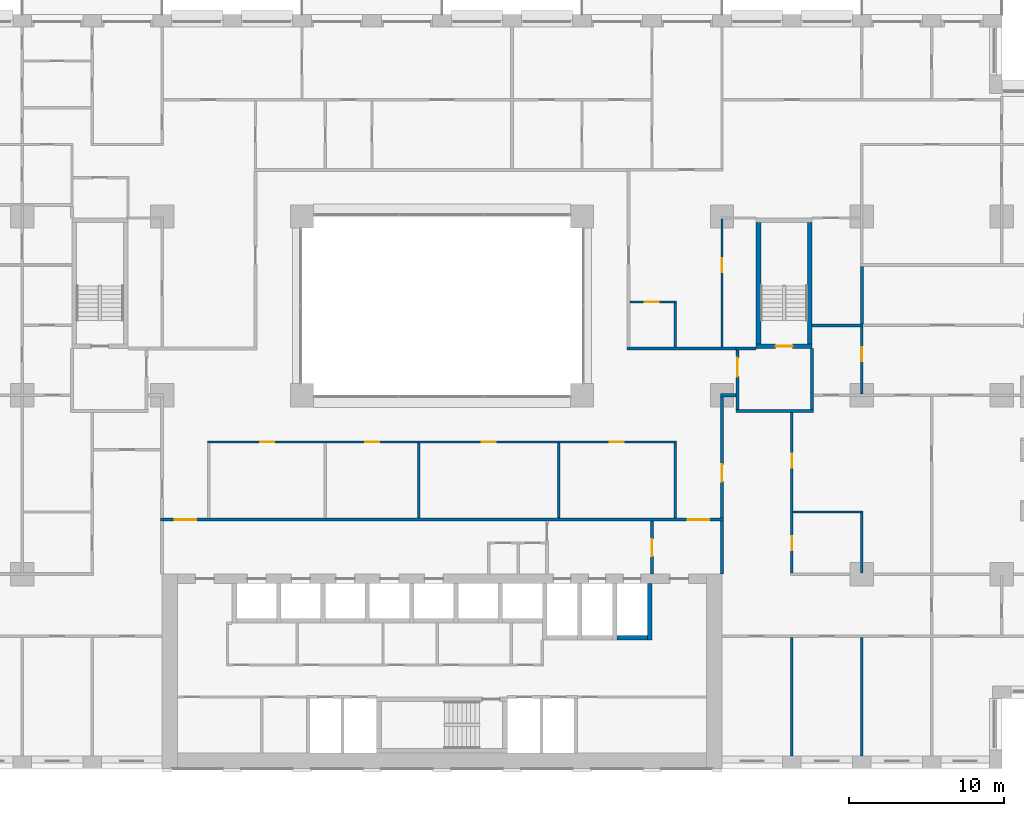
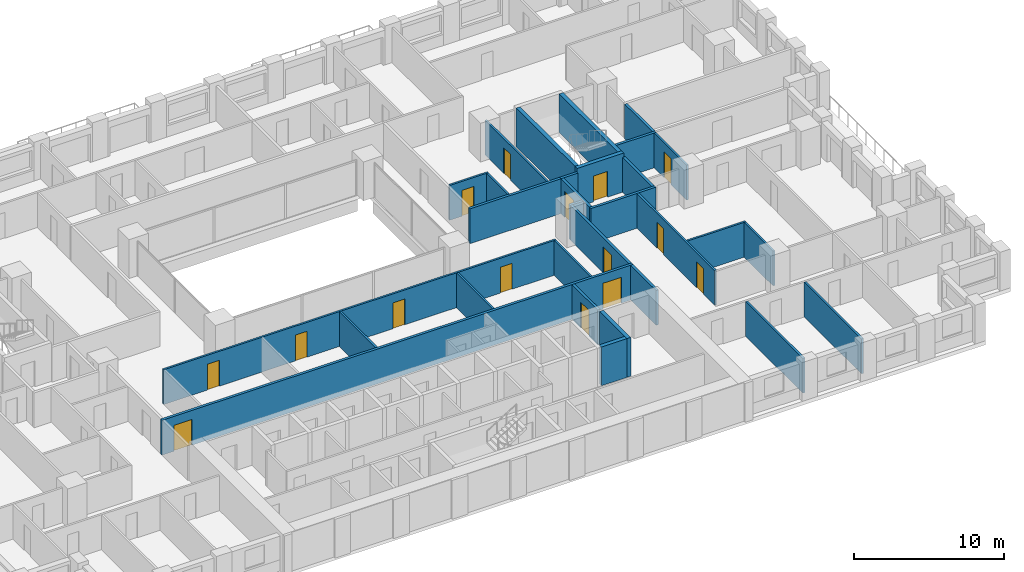
# One storey, part 12 of 19: 30 walls, 15 doors, 15 openings.
"""IFC4 building model written with IfcOpenShell, lengths in metres."""

from ifc_helpers import new_model, si_unit, direction, frame, frame_2d, origin, place, context, subcontext, project, spatial, rectangle, extrude, material, layer, layer_set, type_object, element, fill, save


model = new_model("IFC4")

# Units and contexts
model_context = context("Model", 3, precision=1e-05, world=origin(), true_north=direction((0.0, 1.0)))
body_context = subcontext(model_context, "Body", "Model", "MODEL_VIEW")
ifc_project = project(units=[si_unit("LENGTHUNIT", "METRE"), si_unit("AREAUNIT", "SQUARE_METRE"), si_unit("VOLUMEUNIT", "CUBIC_METRE"), si_unit("PLANEANGLEUNIT", "RADIAN"), si_unit("MASSUNIT", "GRAM", prefix="KILO")], contexts=[model_context])

# Site, building, storey
site_placement = place(None, origin())
site = spatial("IfcSite", under=ifc_project, at=site_placement, CompositionType="ELEMENT")
building_placement = place(site_placement, origin())
building = spatial("IfcBuilding", under=site, at=building_placement, Name="Brigalow Station Residences", CompositionType="ELEMENT")
storey_placement = place(building_placement, frame((0.0, 0.0, 35.25)))
storey = spatial("IfcBuildingStorey", under=building, at=storey_placement, Name="L09", CompositionType="ELEMENT", Elevation=35.25)

# Walls
ifc_material_1 = material(Name="Concrete C80", Category="concrete")
ifc_layer_1 = layer(ifc_material_1, 0.300048828125)
ifc_layer_set_1 = layer_set([ifc_layer_1], Name="CORE SHEAR WALL 300 C80")
wall_type_1 = type_object("IfcWallType", Name="CORE SHEAR WALL 300 C80", PredefinedType="SHEAR", material=ifc_layer_set_1)
wall_1_placement = place(storey_placement, frame((47.25, 8.39990234375, 0.0), z_axis=(0.0, 0.0, 1.0), x_axis=(1.0, 0.0, 0.0)))
element("IfcWall", 1, at=wall_1_placement, inside=storey, type_object=wall_type_1, Name="CORE WALL SH-SL1-S L09", PredefinedType="SHEAR", context=body_context, shape_type="SweptSolid", body=[
    extrude(rectangle(XDim=1.949951171875, YDim=0.300048828125, at=frame_2d((0.97509765625, 0.0))), origin(), (0.0, 0.0, 1.0), 3.14990234375),
])
wall_2_placement = place(storey_placement, frame((49.35009765625, 8.25, 0.0), z_axis=(0.0, 0.0, 1.0), x_axis=(0.0, 1.0, 0.0)))
element("IfcWall", 2, at=wall_2_placement, inside=storey, type_object=wall_type_1, Name="CORE WALL SH-SL1-E L09", PredefinedType="SHEAR", context=body_context, shape_type="SweptSolid", body=[
    extrude(rectangle(XDim=3.64990234375, YDim=0.300048828125, at=frame_2d((1.824951171875, 0.0))), origin(), (0.0, 0.0, 1.0), 3.14990234375),
])

# Wall, opening, door
wall_3_placement = place(storey_placement, frame((56.199951171875, 27.14990234375, 0.0), z_axis=(0.0, 0.0, 1.0), x_axis=(1.0, 0.0, 0.0)))
wall_3 = element("IfcWall", 3, at=wall_3_placement, inside=storey, type_object=wall_type_1, Name="CORE WALL ST-S3-S L09", PredefinedType="SHEAR", context=body_context, shape_type="SweptSolid", body=[
    extrude(rectangle(XDim=3.60009765625, YDim=0.300048828125, at=frame_2d((1.800048828125, 0.0))), origin(), (0.0, 0.0, 1.0), 3.14990234375),
])
opening_1_placement = place(wall_3_placement, frame((1.25, 0.0, 0.0)))
opening_1 = element("IfcOpeningElement", 4, at=opening_1_placement, cuts=wall_3, Name="Opening D-5018", PredefinedType="OPENING", context=body_context, shape_type="SweptSolid", body=[
    extrude(rectangle(XDim=1.10009765625, YDim=2.10009765625, at=frame_2d((0.550048828125, 1.050048828125))), frame((0.0, 0.16015625, 0.0), z_axis=(0.0, -1.0, 0.0), x_axis=(1.0, 0.0, 0.0)), (0.0, 0.0, 1.0), 0.320068359375),
])
ifc_material_2 = material(Name="Steel fire door leaf in steel frame", Category="steel")
door_type_1 = type_object("IfcDoorType", Name="STAIR DOOR 1100 x 2100 FD60S", OperationType="SINGLE_SWING_LEFT", PredefinedType="DOOR", material=ifc_material_2)
door_1_placement = place(opening_1_placement, origin())
door_1 = element("IfcDoor", 5, at=door_1_placement, inside=storey, type_object=door_type_1, Name="D-5018", OperationType="SINGLE_SWING_LEFT", OverallHeight=2.10009765625, OverallWidth=1.10009765625, PredefinedType="DOOR", context=body_context, shape_type="SweptSolid", body=[
    extrude(rectangle(XDim=1.10009765625, YDim=2.10009765625, at=frame_2d((0.550048828125, 1.050048828125))), frame((0.0, 0.02490234375, 0.0), z_axis=(0.0, -1.0, 0.0), x_axis=(1.0, 0.0, 0.0)), (0.0, 0.0, 1.0), 0.050048828125),
])
fill(opening_1, door_1)

# Walls
for number, where, z_axis, x_axis, name in (
    (6, (56.35009765625, 27.300048828125, 0.0), (0.0, 0.0, 1.0), (0.0, 1.0, 0.0), "CORE WALL ST-S3-W L09"),
    (7, (59.64990234375, 27.300048828125, 0.0), (0.0, 0.0, 1.0), (0.0, 1.0, 0.0), "CORE WALL ST-S3-E L09"),
):
    element("IfcWall", number, at=place(storey_placement, frame(where, z_axis=z_axis, x_axis=x_axis)), inside=storey, type_object=wall_type_1, Name=name, PredefinedType="SHEAR", context=body_context, shape_type="SweptSolid", body=[
        extrude(rectangle(XDim=7.800048828125, YDim=0.300048828125, at=frame_2d((3.89990234375, 0.0))), origin(), (0.0, 0.0, 1.0), 3.14990234375),
    ])
ifc_material_3 = material(Name="Concrete blockwork", Category="masonry")
ifc_layer_2 = layer(ifc_material_3, 0.199951171875)
ifc_layer_set_2 = layer_set([ifc_layer_2], Name="FIRE RATED CORE PARTITION 200")
wall_type_2 = type_object("IfcWallType", Name="FIRE RATED CORE PARTITION 200", PredefinedType="PARTITIONING", material=ifc_layer_set_2)
wall_4_placement = place(storey_placement, frame((54.89990234375, 23.0, 0.0), z_axis=(0.0, 0.0, 1.0), x_axis=(1.0, 0.0, 0.0)))
element("IfcWall", 8, at=wall_4_placement, inside=storey, type_object=wall_type_2, Name="PW-5024", PredefinedType="PARTITIONING", context=body_context, shape_type="SweptSolid", body=[
    extrude(rectangle(XDim=5.0, YDim=0.199951171875, at=frame_2d((2.5, 0.0))), origin(), (0.0, 0.0, 1.0), 2.830078125),
])
wall_5_placement = place(storey_placement, frame((54.89990234375, 27.0, 0.0), z_axis=(0.0, 0.0, 1.0), x_axis=(1.0, 0.0, 0.0)))
element("IfcWall", 9, at=wall_5_placement, inside=storey, type_object=wall_type_2, Name="PW-5026", PredefinedType="PARTITIONING", context=body_context, shape_type="SweptSolid", body=[
    extrude(rectangle(XDim=1.300048828125, YDim=0.199951171875, at=frame_2d((0.64990234375, 0.0))), origin(), (0.0, 0.0, 1.0), 2.830078125),
])

# Wall, opening, door
wall_6_placement = place(storey_placement, frame((49.5, 12.5, 0.0), z_axis=(0.0, 0.0, 1.0), x_axis=(0.0, 1.0, 0.0)))
wall_6 = element("IfcWall", 10, at=wall_6_placement, inside=storey, type_object=wall_type_2, Name="PW-5015", PredefinedType="PARTITIONING", context=body_context, shape_type="SweptSolid", body=[
    extrude(rectangle(XDim=3.39990234375, YDim=0.199951171875, at=frame_2d((1.699951171875, 0.0))), origin(), (0.0, 0.0, 1.0), 2.830078125),
])
opening_2_placement = place(wall_6_placement, frame((1.14990234375, 0.0, 0.0)))
opening_2 = element("IfcOpeningElement", 11, at=opening_2_placement, cuts=wall_6, Name="Opening D-5014", PredefinedType="OPENING", context=body_context, shape_type="SweptSolid", body=[
    extrude(rectangle(XDim=1.10009765625, YDim=2.10009765625, at=frame_2d((0.550048828125, 1.050048828125))), frame((0.0, 0.10986328125, 0.0), z_axis=(0.0, -1.0, 0.0), x_axis=(1.0, 0.0, 0.0)), (0.0, 0.0, 1.0), 0.219970703125),
])
ifc_material_4 = material(Name="Steel fire door leaf in steel frame", Category="steel")
door_type_2 = type_object("IfcDoorType", Name="LOBBY DOOR 1100 x 2100 FD60S", OperationType="SINGLE_SWING_LEFT", PredefinedType="DOOR", material=ifc_material_4)
door_2_placement = place(opening_2_placement, origin())
door_2 = element("IfcDoor", 12, at=door_2_placement, inside=storey, type_object=door_type_2, Name="D-5014", OperationType="SINGLE_SWING_RIGHT", OverallHeight=2.10009765625, OverallWidth=1.10009765625, PredefinedType="DOOR", context=body_context, shape_type="SweptSolid", body=[
    extrude(rectangle(XDim=1.10009765625, YDim=2.10009765625, at=frame_2d((0.550048828125, 1.050048828125))), frame((0.0, 0.02490234375, 0.0), z_axis=(0.0, -1.0, 0.0), x_axis=(1.0, 0.0, 0.0)), (0.0, 0.0, 1.0), 0.050048828125),
])
fill(opening_2, door_2)

# Wall
wall_7_placement = place(storey_placement, frame((54.0, 12.5, 0.0), z_axis=(0.0, 0.0, 1.0), x_axis=(0.0, 1.0, 0.0)))
element("IfcWall", 13, at=wall_7_placement, inside=storey, type_object=wall_type_2, Name="PW-5016", PredefinedType="PARTITIONING", context=body_context, shape_type="SweptSolid", body=[
    extrude(rectangle(XDim=3.39990234375, YDim=0.199951171875, at=frame_2d((1.699951171875, 0.0))), origin(), (0.0, 0.0, 1.0), 2.830078125),
])

# Wall, opening, door
wall_8_placement = place(storey_placement, frame((55.0, 23.10009765625, 0.0), z_axis=(0.0, 0.0, 1.0), x_axis=(0.0, 1.0, 0.0)))
wall_8 = element("IfcWall", 14, at=wall_8_placement, inside=storey, type_object=wall_type_2, Name="PW-5036", PredefinedType="PARTITIONING", context=body_context, shape_type="SweptSolid", body=[
    extrude(rectangle(XDim=3.7998046875, YDim=0.199951171875, at=frame_2d((1.89990234375, 0.0))), origin(), (0.0, 0.0, 1.0), 2.830078125),
])
opening_3_placement = place(wall_8_placement, frame((2.10009765625, 0.0, 0.0)))
opening_3 = element("IfcOpeningElement", 15, at=opening_3_placement, cuts=wall_8, Name="Opening D-5019", PredefinedType="OPENING", context=body_context, shape_type="SweptSolid", body=[
    extrude(rectangle(XDim=1.199951171875, YDim=2.10009765625, at=frame_2d((0.60009765625, 1.050048828125))), frame((0.0, 0.10986328125, 0.0), z_axis=(0.0, -1.0, 0.0), x_axis=(1.0, 0.0, 0.0)), (0.0, 0.0, 1.0), 0.219970703125),
])
ifc_material_5 = material(Name="Steel fire door leaf in steel frame", Category="steel")
door_type_3 = type_object("IfcDoorType", Name="STAIR LOBBY DOOR 1200 x 2100 FD60S", OperationType="SINGLE_SWING_LEFT", PredefinedType="DOOR", material=ifc_material_5)
door_3_placement = place(opening_3_placement, frame((1.199951171875, 0.0, 0.0), z_axis=(0.0, 0.0, 1.0), x_axis=(-1.0, 0.0, 0.0)))
door_3 = element("IfcDoor", 16, at=door_3_placement, inside=storey, type_object=door_type_3, Name="D-5019", OperationType="SINGLE_SWING_LEFT", OverallHeight=2.10009765625, OverallWidth=1.199951171875, PredefinedType="DOOR", context=body_context, shape_type="SweptSolid", body=[
    extrude(rectangle(XDim=1.199951171875, YDim=2.10009765625, at=frame_2d((0.60009765625, 1.050048828125))), frame((0.0, 0.02490234375, 0.0), z_axis=(0.0, -1.0, 0.0), x_axis=(1.0, 0.0, 0.0)), (0.0, 0.0, 1.0), 0.050048828125),
])
fill(opening_3, door_3)

# Wall
wall_9_placement = place(storey_placement, frame((59.800048828125, 23.10009765625, 0.0), z_axis=(0.0, 0.0, 1.0), x_axis=(0.0, 1.0, 0.0)))
element("IfcWall", 17, at=wall_9_placement, inside=storey, type_object=wall_type_2, Name="PW-5037", PredefinedType="PARTITIONING", context=body_context, shape_type="SweptSolid", body=[
    extrude(rectangle(XDim=3.89990234375, YDim=0.199951171875, at=frame_2d((1.949951171875, 0.0))), origin(), (0.0, 0.0, 1.0), 2.830078125),
])

# Wall, openings, doors
ifc_material_6 = material(Name="Plasterboard on steel stud partition", Category="steel")
ifc_layer_3 = layer(ifc_material_6, 0.14990234375)
ifc_layer_set_3 = layer_set([ifc_layer_3], Name="FLAT PARTITION 150")
wall_type_3 = type_object("IfcWallType", Name="FLAT PARTITION 150", PredefinedType="PARTITIONING", material=ifc_layer_set_3)
wall_10_placement = place(storey_placement, frame((20.925048828125, 21.0, 0.0), z_axis=(0.0, 0.0, 1.0), x_axis=(1.0, 0.0, 0.0)))
wall_10 = element("IfcWall", 18, at=wall_10_placement, inside=storey, type_object=wall_type_3, Name="PW-1B01", PredefinedType="PARTITIONING", context=body_context, shape_type="SweptSolid", body=[
    extrude(rectangle(XDim=30.14990234375, YDim=0.14990234375, at=frame_2d((15.074951171875, 0.0))), origin(), (0.0, 0.0, 1.0), 2.830078125),
])
opening_4_placement = place(wall_10_placement, frame((3.375, 0.0, 0.0)))
opening_4 = element("IfcOpeningElement", 19, at=opening_4_placement, cuts=wall_10, Name="Opening D-1B70", PredefinedType="OPENING", context=body_context, shape_type="SweptSolid", body=[
    extrude(rectangle(XDim=0.89990234375, YDim=2.10009765625, at=frame_2d((0.449951171875, 1.050048828125))), frame((0.0, 0.0849609375, 0.0), z_axis=(0.0, -1.0, 0.0), x_axis=(1.0, 0.0, 0.0)), (0.0, 0.0, 1.0), 0.169921875),
])
opening_5_placement = place(wall_10_placement, frame((10.125, 0.0, 0.0)))
opening_5 = element("IfcOpeningElement", 20, at=opening_5_placement, cuts=wall_10, Name="Opening D-1B71", PredefinedType="OPENING", context=body_context, shape_type="SweptSolid", body=[
    extrude(rectangle(XDim=0.89990234375, YDim=2.10009765625, at=frame_2d((0.449951171875, 1.050048828125))), frame((0.0, 0.0849609375, 0.0), z_axis=(0.0, -1.0, 0.0), x_axis=(1.0, 0.0, 0.0)), (0.0, 0.0, 1.0), 0.169921875),
])
opening_6_placement = place(wall_10_placement, frame((17.625, 0.0, 0.0)))
opening_6 = element("IfcOpeningElement", 21, at=opening_6_placement, cuts=wall_10, Name="Opening D-1B72", PredefinedType="OPENING", context=body_context, shape_type="SweptSolid", body=[
    extrude(rectangle(XDim=0.89990234375, YDim=2.10009765625, at=frame_2d((0.449951171875, 1.050048828125))), frame((0.0, 0.0849609375, 0.0), z_axis=(0.0, -1.0, 0.0), x_axis=(1.0, 0.0, 0.0)), (0.0, 0.0, 1.0), 0.169921875),
])
opening_7_placement = place(wall_10_placement, frame((25.875, 0.0, 0.0)))
opening_7 = element("IfcOpeningElement", 22, at=opening_7_placement, cuts=wall_10, Name="Opening D-1B73", PredefinedType="OPENING", context=body_context, shape_type="SweptSolid", body=[
    extrude(rectangle(XDim=0.89990234375, YDim=2.10009765625, at=frame_2d((0.449951171875, 1.050048828125))), frame((0.0, 0.0849609375, 0.0), z_axis=(0.0, -1.0, 0.0), x_axis=(1.0, 0.0, 0.0)), (0.0, 0.0, 1.0), 0.169921875),
])
ifc_material_7 = material(Name="Solid-core timber door leaf", Category="wood")
door_type_4 = type_object("IfcDoorType", Name="INTERNAL DOOR 900 x 2100", OperationType="SINGLE_SWING_LEFT", PredefinedType="DOOR", material=ifc_material_7)
door_4_placement = place(opening_4_placement, frame((0.89990234375, 0.0, 0.0), z_axis=(0.0, 0.0, 1.0), x_axis=(-1.0, 0.0, 0.0)))
door_4 = element("IfcDoor", 23, at=door_4_placement, inside=storey, type_object=door_type_4, Name="D-1B70", OperationType="SINGLE_SWING_LEFT", OverallHeight=2.10009765625, OverallWidth=0.89990234375, PredefinedType="DOOR", context=body_context, shape_type="SweptSolid", body=[
    extrude(rectangle(XDim=0.89990234375, YDim=2.10009765625, at=frame_2d((0.449951171875, 1.050048828125))), frame((0.0, 0.02490234375, 0.0), z_axis=(0.0, -1.0, 0.0), x_axis=(1.0, 0.0, 0.0)), (0.0, 0.0, 1.0), 0.050048828125),
])
fill(opening_4, door_4)
door_5_placement = place(opening_5_placement, frame((0.89990234375, 0.0, 0.0), z_axis=(0.0, 0.0, 1.0), x_axis=(-1.0, 0.0, 0.0)))
door_5 = element("IfcDoor", 24, at=door_5_placement, inside=storey, type_object=door_type_4, Name="D-1B71", OperationType="SINGLE_SWING_LEFT", OverallHeight=2.10009765625, OverallWidth=0.89990234375, PredefinedType="DOOR", context=body_context, shape_type="SweptSolid", body=[
    extrude(rectangle(XDim=0.89990234375, YDim=2.10009765625, at=frame_2d((0.449951171875, 1.050048828125))), frame((0.0, 0.02490234375, 0.0), z_axis=(0.0, -1.0, 0.0), x_axis=(1.0, 0.0, 0.0)), (0.0, 0.0, 1.0), 0.050048828125),
])
fill(opening_5, door_5)
door_6_placement = place(opening_6_placement, frame((0.89990234375, 0.0, 0.0), z_axis=(0.0, 0.0, 1.0), x_axis=(-1.0, 0.0, 0.0)))
door_6 = element("IfcDoor", 25, at=door_6_placement, inside=storey, type_object=door_type_4, Name="D-1B72", OperationType="SINGLE_SWING_LEFT", OverallHeight=2.10009765625, OverallWidth=0.89990234375, PredefinedType="DOOR", context=body_context, shape_type="SweptSolid", body=[
    extrude(rectangle(XDim=0.89990234375, YDim=2.10009765625, at=frame_2d((0.449951171875, 1.050048828125))), frame((0.0, 0.02490234375, 0.0), z_axis=(0.0, -1.0, 0.0), x_axis=(1.0, 0.0, 0.0)), (0.0, 0.0, 1.0), 0.050048828125),
])
fill(opening_6, door_6)
door_7_placement = place(opening_7_placement, frame((0.89990234375, 0.0, 0.0), z_axis=(0.0, 0.0, 1.0), x_axis=(-1.0, 0.0, 0.0)))
door_7 = element("IfcDoor", 26, at=door_7_placement, inside=storey, type_object=door_type_4, Name="D-1B73", OperationType="SINGLE_SWING_RIGHT", OverallHeight=2.10009765625, OverallWidth=0.89990234375, PredefinedType="DOOR", context=body_context, shape_type="SweptSolid", body=[
    extrude(rectangle(XDim=0.89990234375, YDim=2.10009765625, at=frame_2d((0.449951171875, 1.050048828125))), frame((0.0, 0.02490234375, 0.0), z_axis=(0.0, -1.0, 0.0), x_axis=(1.0, 0.0, 0.0)), (0.0, 0.0, 1.0), 0.050048828125),
])
fill(opening_7, door_7)

# Wall
wall_11_placement = place(storey_placement, frame((58.574951171875, 16.5, 0.0), z_axis=(0.0, 0.0, 1.0), x_axis=(1.0, 0.0, 0.0)))
element("IfcWall", 27, at=wall_11_placement, inside=storey, type_object=wall_type_3, Name="PW-1B16", PredefinedType="PARTITIONING", context=body_context, shape_type="SweptSolid", body=[
    extrude(rectangle(XDim=4.5, YDim=0.14990234375, at=frame_2d((2.25, 0.0))), origin(), (0.0, 0.0, 1.0), 2.830078125),
])

# Wall, opening, door
wall_12_placement = place(storey_placement, frame((48.10009765625, 30.0, 0.0), z_axis=(0.0, 0.0, 1.0), x_axis=(1.0, 0.0, 0.0)))
wall_12 = element("IfcWall", 28, at=wall_12_placement, inside=storey, type_object=wall_type_3, Name="PW-1B35", PredefinedType="PARTITIONING", context=body_context, shape_type="SweptSolid", body=[
    extrude(rectangle(XDim=2.974853515625, YDim=0.14990234375, at=frame_2d((1.4873046875, 0.0))), origin(), (0.0, 0.0, 1.0), 2.830078125),
])
opening_8_placement = place(wall_12_placement, frame((0.949951171875, 0.0, 0.0)))
opening_8 = element("IfcOpeningElement", 29, at=opening_8_placement, cuts=wall_12, Name="Opening D-1B47", PredefinedType="OPENING", context=body_context, shape_type="SweptSolid", body=[
    extrude(rectangle(XDim=0.89990234375, YDim=2.10009765625, at=frame_2d((0.449951171875, 1.050048828125))), frame((0.0, 0.0849609375, 0.0), z_axis=(0.0, -1.0, 0.0), x_axis=(1.0, 0.0, 0.0)), (0.0, 0.0, 1.0), 0.169921875),
])
door_8_placement = place(opening_8_placement, frame((0.89990234375, 0.0, 0.0), z_axis=(0.0, 0.0, 1.0), x_axis=(-1.0, 0.0, 0.0)))
door_8 = element("IfcDoor", 30, at=door_8_placement, inside=storey, type_object=door_type_4, Name="D-1B47", OperationType="SINGLE_SWING_RIGHT", OverallHeight=2.10009765625, OverallWidth=0.89990234375, PredefinedType="DOOR", context=body_context, shape_type="SweptSolid", body=[
    extrude(rectangle(XDim=0.89990234375, YDim=2.10009765625, at=frame_2d((0.449951171875, 1.050048828125))), frame((0.0, 0.02490234375, 0.0), z_axis=(0.0, -1.0, 0.0), x_axis=(1.0, 0.0, 0.0)), (0.0, 0.0, 1.0), 0.050048828125),
])
fill(opening_8, door_8)

wall_13_placement = place(storey_placement, frame((54.0, 27.10009765625, 0.0), z_axis=(0.0, 0.0, 1.0), x_axis=(0.0, 1.0, 0.0)))
wall_13 = element("IfcWall", 31, at=wall_13_placement, inside=storey, type_object=wall_type_3, Name="PW-1B40", PredefinedType="PARTITIONING", context=body_context, shape_type="SweptSolid", body=[
    extrude(rectangle(XDim=8.224853515625, YDim=0.14990234375, at=frame_2d((4.1123046875, 0.0))), origin(), (0.0, 0.0, 1.0), 2.830078125),
])
opening_9_placement = place(wall_13_placement, frame((4.824951171875, 0.0, 0.0)))
opening_9 = element("IfcOpeningElement", 32, at=opening_9_placement, cuts=wall_13, Name="Opening D-1B49", PredefinedType="OPENING", context=body_context, shape_type="SweptSolid", body=[
    extrude(rectangle(XDim=0.89990234375, YDim=2.10009765625, at=frame_2d((0.449951171875, 1.050048828125))), frame((0.0, 0.0849609375, 0.0), z_axis=(0.0, -1.0, 0.0), x_axis=(1.0, 0.0, 0.0)), (0.0, 0.0, 1.0), 0.169921875),
])
door_9_placement = place(opening_9_placement, frame((0.89990234375, 0.0, 0.0), z_axis=(0.0, 0.0, 1.0), x_axis=(-1.0, 0.0, 0.0)))
door_9 = element("IfcDoor", 33, at=door_9_placement, inside=storey, type_object=door_type_4, Name="D-1B49", OperationType="SINGLE_SWING_LEFT", OverallHeight=2.10009765625, OverallWidth=0.89990234375, PredefinedType="DOOR", context=body_context, shape_type="SweptSolid", body=[
    extrude(rectangle(XDim=0.89990234375, YDim=2.10009765625, at=frame_2d((0.449951171875, 1.050048828125))), frame((0.0, 0.02490234375, 0.0), z_axis=(0.0, -1.0, 0.0), x_axis=(1.0, 0.0, 0.0)), (0.0, 0.0, 1.0), 0.050048828125),
])
fill(opening_9, door_9)

# Walls
wall_14_placement = place(storey_placement, frame((51.0, 16.10009765625, 0.0), z_axis=(0.0, 0.0, 1.0), x_axis=(0.0, 1.0, 0.0)))
element("IfcWall", 34, at=wall_14_placement, inside=storey, type_object=wall_type_3, Name="PW-1B44", PredefinedType="PARTITIONING", context=body_context, shape_type="SweptSolid", body=[
    extrude(rectangle(XDim=4.824951171875, YDim=0.14990234375, at=frame_2d((2.41259765625, 0.0))), origin(), (0.0, 0.0, 1.0), 2.830078125),
])
wall_15_placement = place(storey_placement, frame((51.0, 27.10009765625, 0.0), z_axis=(0.0, 0.0, 1.0), x_axis=(0.0, 1.0, 0.0)))
element("IfcWall", 35, at=wall_15_placement, inside=storey, type_object=wall_type_3, Name="PW-1B45", PredefinedType="PARTITIONING", context=body_context, shape_type="SweptSolid", body=[
    extrude(rectangle(XDim=2.824951171875, YDim=0.14990234375, at=frame_2d((1.41259765625, 0.0))), origin(), (0.0, 0.0, 1.0), 2.830078125),
])
wall_16_placement = place(storey_placement, frame((63.0, 0.800048828125, 0.0), z_axis=(0.0, 0.0, 1.0), x_axis=(0.0, 1.0, 0.0)))
element("IfcWall", 36, at=wall_16_placement, inside=storey, type_object=wall_type_3, Name="PW-1B68", PredefinedType="PARTITIONING", context=body_context, shape_type="SweptSolid", body=[
    extrude(rectangle(XDim=7.625, YDim=0.14990234375, at=frame_2d((3.8125, 0.0))), origin(), (0.0, 0.0, 1.0), 2.830078125),
])
wall_17_placement = place(storey_placement, frame((63.0, 12.574951171875, 0.0), z_axis=(0.0, 0.0, 1.0), x_axis=(0.0, 1.0, 0.0)))
element("IfcWall", 37, at=wall_17_placement, inside=storey, type_object=wall_type_3, Name="PW-1B69", PredefinedType="PARTITIONING", context=body_context, shape_type="SweptSolid", body=[
    extrude(rectangle(XDim=3.85009765625, YDim=0.14990234375, at=frame_2d((1.925048828125, 0.0))), origin(), (0.0, 0.0, 1.0), 2.830078125),
])

# Wall, opening, door
wall_18_placement = place(storey_placement, frame((63.0, 24.074951171875, 0.0), z_axis=(0.0, 0.0, 1.0), x_axis=(0.0, 1.0, 0.0)))
wall_18 = element("IfcWall", 38, at=wall_18_placement, inside=storey, type_object=wall_type_3, Name="PW-1B70", PredefinedType="PARTITIONING", context=body_context, shape_type="SweptSolid", body=[
    extrude(rectangle(XDim=4.35009765625, YDim=0.14990234375, at=frame_2d((2.175048828125, 0.0))), origin(), (0.0, 0.0, 1.0), 2.830078125),
])
opening_10_placement = place(wall_18_placement, frame((2.10009765625, 0.0, 0.0)))
opening_10 = element("IfcOpeningElement", 39, at=opening_10_placement, cuts=wall_18, Name="Opening D-1B61", PredefinedType="OPENING", context=body_context, shape_type="SweptSolid", body=[
    extrude(rectangle(XDim=0.89990234375, YDim=2.10009765625, at=frame_2d((0.449951171875, 1.050048828125))), frame((0.0, 0.0849609375, 0.0), z_axis=(0.0, -1.0, 0.0), x_axis=(1.0, 0.0, 0.0)), (0.0, 0.0, 1.0), 0.169921875),
])
door_10_placement = place(opening_10_placement, origin())
door_10 = element("IfcDoor", 40, at=door_10_placement, inside=storey, type_object=door_type_4, Name="D-1B61", OperationType="SINGLE_SWING_RIGHT", OverallHeight=2.10009765625, OverallWidth=0.89990234375, PredefinedType="DOOR", context=body_context, shape_type="SweptSolid", body=[
    extrude(rectangle(XDim=0.89990234375, YDim=2.10009765625, at=frame_2d((0.449951171875, 1.050048828125))), frame((0.0, 0.02490234375, 0.0), z_axis=(0.0, -1.0, 0.0), x_axis=(1.0, 0.0, 0.0)), (0.0, 0.0, 1.0), 0.050048828125),
])
fill(opening_10, door_10)

# Wall
wall_19_placement = place(storey_placement, frame((58.5, 0.800048828125, 0.0), z_axis=(0.0, 0.0, 1.0), x_axis=(0.0, 1.0, 0.0)))
element("IfcWall", 41, at=wall_19_placement, inside=storey, type_object=wall_type_3, Name="PW-1B83", PredefinedType="PARTITIONING", context=body_context, shape_type="SweptSolid", body=[
    extrude(rectangle(XDim=7.625, YDim=0.14990234375, at=frame_2d((3.8125, 0.0))), origin(), (0.0, 0.0, 1.0), 2.830078125),
])

# Wall, openings, doors
wall_20_placement = place(storey_placement, frame((58.5, 12.574951171875, 0.0), z_axis=(0.0, 0.0, 1.0), x_axis=(0.0, 1.0, 0.0)))
wall_20 = element("IfcWall", 42, at=wall_20_placement, inside=storey, type_object=wall_type_3, Name="PW-1B84", PredefinedType="PARTITIONING", context=body_context, shape_type="SweptSolid", body=[
    extrude(rectangle(XDim=10.324951171875, YDim=0.14990234375, at=frame_2d((5.16259765625, 0.0))), origin(), (0.0, 0.0, 1.0), 2.830078125),
])
opening_11_placement = place(wall_20_placement, frame((1.47509765625, 0.0, 0.0)))
opening_11 = element("IfcOpeningElement", 43, at=opening_11_placement, cuts=wall_20, Name="Opening D-1B54", PredefinedType="OPENING", context=body_context, shape_type="SweptSolid", body=[
    extrude(rectangle(XDim=0.89990234375, YDim=2.10009765625, at=frame_2d((0.449951171875, 1.050048828125))), frame((0.0, 0.0849609375, 0.0), z_axis=(0.0, -1.0, 0.0), x_axis=(1.0, 0.0, 0.0)), (0.0, 0.0, 1.0), 0.169921875),
])
opening_12_placement = place(wall_20_placement, frame((6.75, 0.0, 0.0)))
opening_12 = element("IfcOpeningElement", 44, at=opening_12_placement, cuts=wall_20, Name="Opening D-1B64", PredefinedType="OPENING", context=body_context, shape_type="SweptSolid", body=[
    extrude(rectangle(XDim=0.89990234375, YDim=2.10009765625, at=frame_2d((0.449951171875, 1.050048828125))), frame((0.0, 0.0849609375, 0.0), z_axis=(0.0, -1.0, 0.0), x_axis=(1.0, 0.0, 0.0)), (0.0, 0.0, 1.0), 0.169921875),
])
door_11_placement = place(opening_11_placement, frame((0.89990234375, 0.0, 0.0), z_axis=(0.0, 0.0, 1.0), x_axis=(-1.0, 0.0, 0.0)))
door_11 = element("IfcDoor", 45, at=door_11_placement, inside=storey, type_object=door_type_4, Name="D-1B54", OperationType="SINGLE_SWING_RIGHT", OverallHeight=2.10009765625, OverallWidth=0.89990234375, PredefinedType="DOOR", context=body_context, shape_type="SweptSolid", body=[
    extrude(rectangle(XDim=0.89990234375, YDim=2.10009765625, at=frame_2d((0.449951171875, 1.050048828125))), frame((0.0, 0.02490234375, 0.0), z_axis=(0.0, -1.0, 0.0), x_axis=(1.0, 0.0, 0.0)), (0.0, 0.0, 1.0), 0.050048828125),
])
fill(opening_11, door_11)
door_12_placement = place(opening_12_placement, frame((0.89990234375, 0.0, 0.0), z_axis=(0.0, 0.0, 1.0), x_axis=(-1.0, 0.0, 0.0)))
door_12 = element("IfcDoor", 46, at=door_12_placement, inside=storey, type_object=door_type_4, Name="D-1B64", OperationType="SINGLE_SWING_LEFT", OverallHeight=2.10009765625, OverallWidth=0.89990234375, PredefinedType="DOOR", context=body_context, shape_type="SweptSolid", body=[
    extrude(rectangle(XDim=0.89990234375, YDim=2.10009765625, at=frame_2d((0.449951171875, 1.050048828125))), frame((0.0, 0.02490234375, 0.0), z_axis=(0.0, -1.0, 0.0), x_axis=(1.0, 0.0, 0.0)), (0.0, 0.0, 1.0), 0.050048828125),
])
fill(opening_12, door_12)

# Walls
for number, where, z_axis, x_axis, name in (
    (47, (34.5, 16.10009765625, 0.0), (0.0, 0.0, 1.0), (0.0, 1.0, 0.0), "PW-1B85"),
    (48, (43.5, 16.10009765625, 0.0), (0.0, 0.0, 1.0), (0.0, 1.0, 0.0), "PW-1B86"),
):
    element("IfcWall", number, at=place(storey_placement, frame(where, z_axis=z_axis, x_axis=x_axis)), inside=storey, type_object=wall_type_3, Name=name, PredefinedType="PARTITIONING", context=body_context, shape_type="SweptSolid", body=[
        extrude(rectangle(XDim=4.824951171875, YDim=0.14990234375, at=frame_2d((2.41259765625, 0.0))), origin(), (0.0, 0.0, 1.0), 2.830078125),
    ])
ifc_material_8 = material(Name="Plasterboard on steel stud partition", Category="steel")
ifc_layer_4 = layer(ifc_material_8, 0.199951171875)
ifc_layer_set_4 = layer_set([ifc_layer_4], Name="PARTY AND CORRIDOR WALL 200")
wall_type_4 = type_object("IfcWallType", Name="PARTY AND CORRIDOR WALL 200", PredefinedType="PARTITIONING", material=ifc_layer_set_4)
wall_21_placement = place(storey_placement, frame((53.89990234375, 24.0, 0.0), z_axis=(0.0, 0.0, 1.0), x_axis=(1.0, 0.0, 0.0)))
element("IfcWall", 49, at=wall_21_placement, inside=storey, type_object=wall_type_4, Name="PW-1B05", PredefinedType="PARTITIONING", context=body_context, shape_type="SweptSolid", body=[
    extrude(rectangle(XDim=1.0, YDim=0.199951171875, at=frame_2d((0.5, 0.0))), origin(), (0.0, 0.0, 1.0), 2.830078125),
])
wall_22_placement = place(storey_placement, frame((47.89990234375, 27.0, 0.0), z_axis=(0.0, 0.0, 1.0), x_axis=(1.0, 0.0, 0.0)))
element("IfcWall", 50, at=wall_22_placement, inside=storey, type_object=wall_type_4, Name="PW-1B07", PredefinedType="PARTITIONING", context=body_context, shape_type="SweptSolid", body=[
    extrude(rectangle(XDim=7.0, YDim=0.199951171875, at=frame_2d((3.5, 0.0))), origin(), (0.0, 0.0, 1.0), 2.830078125),
])
wall_23_placement = place(storey_placement, frame((59.800048828125, 28.5, 0.0), z_axis=(0.0, 0.0, 1.0), x_axis=(1.0, 0.0, 0.0)))
element("IfcWall", 51, at=wall_23_placement, inside=storey, type_object=wall_type_4, Name="PW-1B21", PredefinedType="PARTITIONING", context=body_context, shape_type="SweptSolid", body=[
    extrude(rectangle(XDim=3.27490234375, YDim=0.199951171875, at=frame_2d((1.637451171875, 0.0))), origin(), (0.0, 0.0, 1.0), 2.830078125),
])

# Wall, openings, doors
wall_24_placement = place(storey_placement, frame((17.89990234375, 16.0, 0.0), z_axis=(0.0, 0.0, 1.0), x_axis=(1.0, 0.0, 0.0)))
wall_24 = element("IfcWall", 52, at=wall_24_placement, inside=storey, type_object=wall_type_4, Name="PW-1B36", PredefinedType="PARTITIONING", context=body_context, shape_type="SweptSolid", body=[
    extrude(rectangle(XDim=36.2001953125, YDim=0.199951171875, at=frame_2d((18.10009765625, 0.0))), origin(), (0.0, 0.0, 1.0), 2.830078125),
])
opening_13_placement = place(wall_24_placement, frame((0.89990234375, 0.0, 0.0)))
opening_13 = element("IfcOpeningElement", 53, at=opening_13_placement, cuts=wall_24, Name="Opening D-1B01", PredefinedType="OPENING", context=body_context, shape_type="SweptSolid", body=[
    extrude(rectangle(XDim=1.39990234375, YDim=2.10009765625, at=frame_2d((0.699951171875, 1.050048828125))), frame((0.0, 0.10986328125, 0.0), z_axis=(0.0, -1.0, 0.0), x_axis=(1.0, 0.0, 0.0)), (0.0, 0.0, 1.0), 0.219970703125),
])
opening_14_placement = place(wall_24_placement, frame((33.89990234375, 0.0, 0.0)))
opening_14 = element("IfcOpeningElement", 54, at=opening_14_placement, cuts=wall_24, Name="Opening D-1B02", PredefinedType="OPENING", context=body_context, shape_type="SweptSolid", body=[
    extrude(rectangle(XDim=1.39990234375, YDim=2.10009765625, at=frame_2d((0.699951171875, 1.050048828125))), frame((0.0, 0.10986328125, 0.0), z_axis=(0.0, -1.0, 0.0), x_axis=(1.0, 0.0, 0.0)), (0.0, 0.0, 1.0), 0.219970703125),
])
ifc_material_9 = material(Name="Solid-core timber door leaf", Category="wood")
door_type_5 = type_object("IfcDoorType", Name="CORRIDOR FIRE DOOR 1400 x 2100 FRL -/60/30", OperationType="DOUBLE_DOOR_SINGLE_SWING", PredefinedType="DOOR", material=ifc_material_9)
door_13_placement = place(opening_13_placement, frame((1.39990234375, 0.0, 0.0), z_axis=(0.0, 0.0, 1.0), x_axis=(-1.0, 0.0, 0.0)))
door_13 = element("IfcDoor", 55, at=door_13_placement, inside=storey, type_object=door_type_5, Name="D-1B01", OperationType="DOUBLE_DOOR_SINGLE_SWING", OverallHeight=2.10009765625, OverallWidth=1.39990234375, PredefinedType="DOOR", context=body_context, shape_type="SweptSolid", body=[
    extrude(rectangle(XDim=1.39990234375, YDim=2.10009765625, at=frame_2d((0.699951171875, 1.050048828125))), frame((0.0, 0.02490234375, 0.0), z_axis=(0.0, -1.0, 0.0), x_axis=(1.0, 0.0, 0.0)), (0.0, 0.0, 1.0), 0.050048828125),
])
fill(opening_13, door_13)
door_14_placement = place(opening_14_placement, frame((1.39990234375, 0.0, 0.0), z_axis=(0.0, 0.0, 1.0), x_axis=(-1.0, 0.0, 0.0)))
door_14 = element("IfcDoor", 56, at=door_14_placement, inside=storey, type_object=door_type_5, Name="D-1B02", OperationType="DOUBLE_DOOR_SINGLE_SWING", OverallHeight=2.10009765625, OverallWidth=1.39990234375, PredefinedType="DOOR", context=body_context, shape_type="SweptSolid", body=[
    extrude(rectangle(XDim=1.39990234375, YDim=2.10009765625, at=frame_2d((0.699951171875, 1.050048828125))), frame((0.0, 0.02490234375, 0.0), z_axis=(0.0, -1.0, 0.0), x_axis=(1.0, 0.0, 0.0)), (0.0, 0.0, 1.0), 0.050048828125),
])
fill(opening_14, door_14)

# Wall, opening, door
wall_25_placement = place(storey_placement, frame((54.0, 16.10009765625, 0.0), z_axis=(0.0, 0.0, 1.0), x_axis=(0.0, 1.0, 0.0)))
wall_25 = element("IfcWall", 57, at=wall_25_placement, inside=storey, type_object=wall_type_4, Name="PW-1B42", PredefinedType="PARTITIONING", context=body_context, shape_type="SweptSolid", body=[
    extrude(rectangle(XDim=7.7998046875, YDim=0.199951171875, at=frame_2d((3.89990234375, 0.0))), origin(), (0.0, 0.0, 1.0), 2.830078125),
])
opening_15_placement = place(wall_25_placement, frame((2.35009765625, 0.0, 0.0)))
opening_15 = element("IfcOpeningElement", 58, at=opening_15_placement, cuts=wall_25, Name="Opening D-1B69", PredefinedType="OPENING", context=body_context, shape_type="SweptSolid", body=[
    extrude(rectangle(XDim=1.10009765625, YDim=2.10009765625, at=frame_2d((0.550048828125, 1.050048828125))), frame((0.0, 0.10986328125, 0.0), z_axis=(0.0, -1.0, 0.0), x_axis=(1.0, 0.0, 0.0)), (0.0, 0.0, 1.0), 0.219970703125),
])
ifc_material_10 = material(Name="Solid-core timber door leaf", Category="wood")
door_type_6 = type_object("IfcDoorType", Name="FLAT ENTRANCE DOOR 1100 x 2100 FRL -/60/30", OperationType="SINGLE_SWING_LEFT", PredefinedType="DOOR", material=ifc_material_10)
door_15_placement = place(opening_15_placement, frame((1.10009765625, 0.0, 0.0), z_axis=(0.0, 0.0, 1.0), x_axis=(-1.0, 0.0, 0.0)))
door_15 = element("IfcDoor", 59, at=door_15_placement, inside=storey, type_object=door_type_6, Name="D-1B69", OperationType="SINGLE_SWING_LEFT", OverallHeight=2.10009765625, OverallWidth=1.10009765625, PredefinedType="DOOR", context=body_context, shape_type="SweptSolid", body=[
    extrude(rectangle(XDim=1.10009765625, YDim=2.10009765625, at=frame_2d((0.550048828125, 1.050048828125))), frame((0.0, 0.02490234375, 0.0), z_axis=(0.0, -1.0, 0.0), x_axis=(1.0, 0.0, 0.0)), (0.0, 0.0, 1.0), 0.050048828125),
])
fill(opening_15, door_15)

# Wall
wall_26_placement = place(storey_placement, frame((63.0, 28.574951171875, 0.0), z_axis=(0.0, 0.0, 1.0), x_axis=(0.0, 1.0, 0.0)))
element("IfcWall", 60, at=wall_26_placement, inside=storey, type_object=wall_type_4, Name="PW-1B73", PredefinedType="PARTITIONING", context=body_context, shape_type="SweptSolid", body=[
    extrude(rectangle(XDim=3.699951171875, YDim=0.199951171875, at=frame_2d((1.85009765625, 0.0))), origin(), (0.0, 0.0, 1.0), 2.830078125),
])

save(model, "model.ifc")
